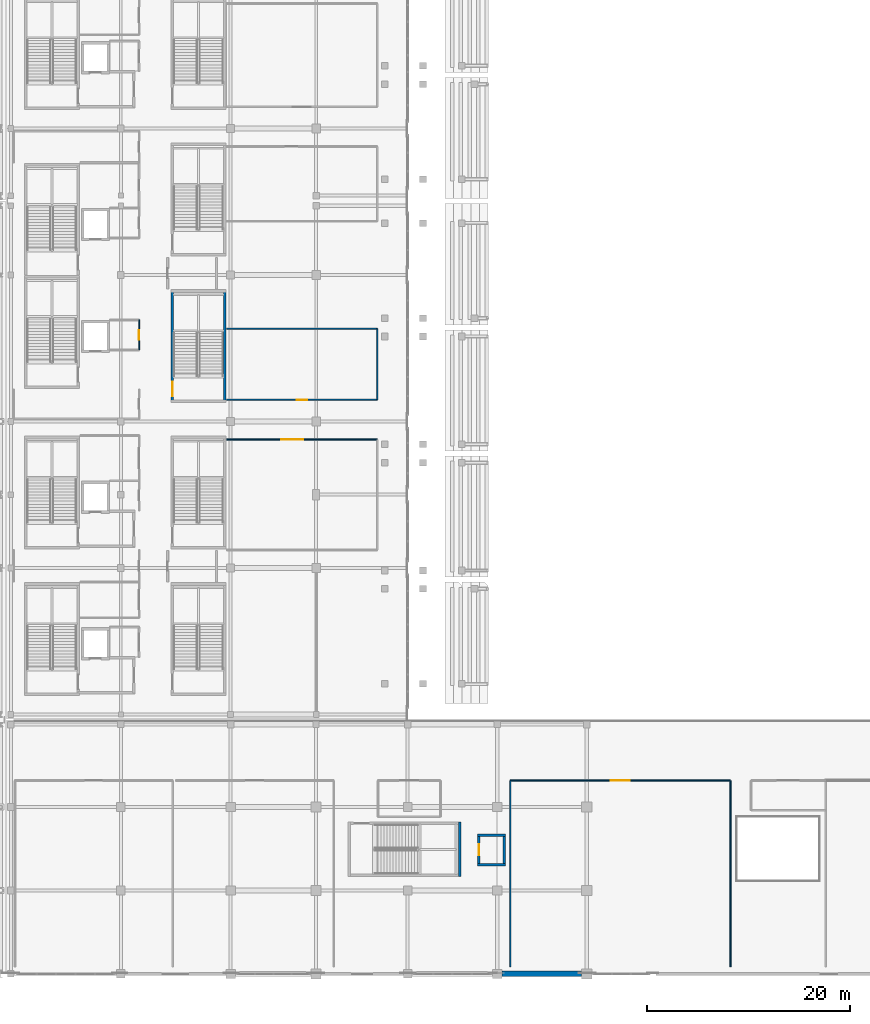
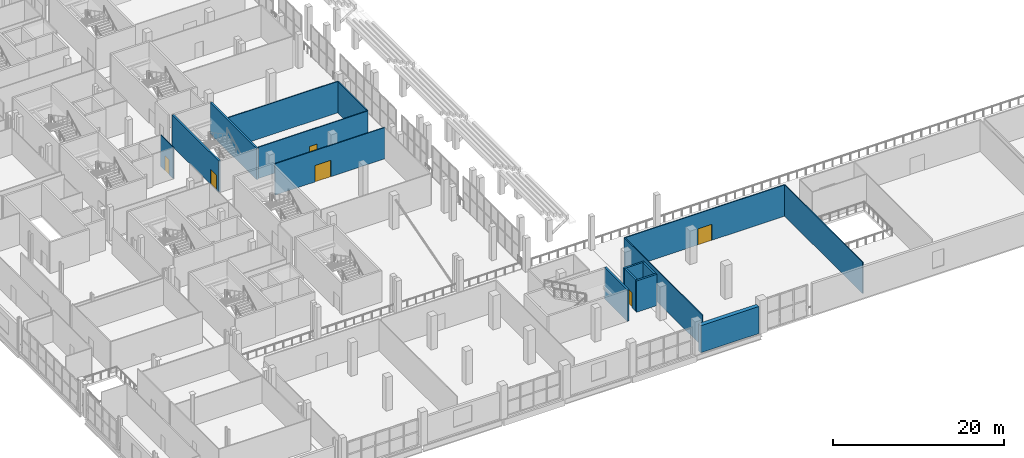
# One storey, part 90 of 142: 16 walls, 6 doors, 6 openings.
"""IFC4 building model written with IfcOpenShell, lengths in metres."""

from ifc_helpers import new_model, si_unit, direction, frame, frame_2d, origin, place, context, subcontext, project, spatial, rectangle, extrude, material, layer, layer_set, type_object, element, fill, save


model = new_model("IFC4")

# Units and contexts
model_context = context("Model", 3, precision=1e-05, world=origin(), true_north=direction((0.0, 1.0)))
body_context = subcontext(model_context, "Body", "Model", "MODEL_VIEW")
ifc_project = project(units=[si_unit("LENGTHUNIT", "METRE"), si_unit("AREAUNIT", "SQUARE_METRE"), si_unit("VOLUMEUNIT", "CUBIC_METRE"), si_unit("PLANEANGLEUNIT", "RADIAN"), si_unit("MASSUNIT", "GRAM", prefix="KILO")], contexts=[model_context])

# Site, building, storey
site_placement = place(None, origin())
site = spatial("IfcSite", under=ifc_project, at=site_placement, CompositionType="ELEMENT")
building_placement = place(site_placement, origin())
building = spatial("IfcBuilding", under=site, at=building_placement, Name="Koshinbarg Plaza Stadium", CompositionType="ELEMENT")
storey_placement = place(building_placement, frame((0.0, 0.0, 10.199951171875)))
storey = spatial("IfcBuildingStorey", under=building, at=storey_placement, Name="L02", CompositionType="ELEMENT", Elevation=10.199951171875)

# Wall
ifc_material_1 = material(Name="Concrete C40/50", Category="concrete")
ifc_layer_1 = layer(ifc_material_1, 0.25)
ifc_layer_set_1 = layer_set([ifc_layer_1], Name="Concrete C40/50")
wall_type_1 = type_object("IfcWallType", Name="WL-CORE-250", PredefinedType="SHEAR", material=ifc_layer_set_1)
wall_1_placement = place(storey_placement, frame((68.72509765625, 9.550048828125, 0.0), z_axis=(0.0, 0.0, 1.0), x_axis=(0.0, 1.0, 0.0)))
element("IfcWall", 1, at=wall_1_placement, inside=storey, type_object=wall_type_1, Name="L02 core stair shear wall C13-far IWL-L02-0299", PredefinedType="SHEAR", context=body_context, shape_type="SweptSolid", body=[
    extrude(rectangle(XDim=5.369873046875, YDim=0.25, at=frame_2d((2.68505859375, 0.0))), origin(), (0.0, 0.0, 1.0), 4.47998046875),
])

# Wall, opening, door
wall_2_placement = place(storey_placement, frame((40.47509765625, 56.27490234375, 0.0), z_axis=(0.0, 0.0, 1.0), x_axis=(0.0, 1.0, 0.0)))
wall_2 = element("IfcWall", 2, at=wall_2_placement, inside=storey, type_object=wall_type_1, Name="L02 vomitory stair shear wall VX03-left IWL-L02-0396", PredefinedType="SHEAR", context=body_context, shape_type="SweptSolid", body=[
    extrude(rectangle(XDim=10.85009765625, YDim=0.25, at=frame_2d((5.425048828125, 0.0))), origin(), (0.0, 0.0, 1.0), 4.47998046875),
])
opening_1_placement = place(wall_2_placement, frame((0.52001953125, 0.0, 0.0)))
opening_1 = element("IfcOpeningElement", 3, at=opening_1_placement, cuts=wall_2, Name="Opening D-0161", PredefinedType="OPENING", context=body_context, shape_type="SweptSolid", body=[
    extrude(rectangle(XDim=1.39990234375, YDim=2.14990234375, at=frame_2d((0.699951171875, 1.074951171875))), frame((0.0, 0.135009765625, 0.0), z_axis=(0.0, -1.0, 0.0), x_axis=(1.0, 0.0, 0.0)), (0.0, 0.0, 1.0), 0.27001953125),
])
ifc_material_2 = material(Name="Painted galvanized steel fire door", Category="steel")
door_type_1 = type_object("IfcDoorType", Name="DR-STAIR-1400", OperationType="NOTDEFINED", PredefinedType="DOOR", material=ifc_material_2)
door_1_placement = place(opening_1_placement, frame((1.39990234375, 0.0, 0.0), z_axis=(0.0, 0.0, 1.0), x_axis=(-1.0, 0.0, 0.0)))
door_1 = element("IfcDoor", 4, at=door_1_placement, inside=storey, type_object=door_type_1, Name="L02 vomitory exit stair door VX03", OperationType="SINGLE_SWING_RIGHT", OverallHeight=2.14990234375, OverallWidth=1.39990234375, PredefinedType="DOOR", context=body_context, shape_type="SweptSolid", body=[
    extrude(rectangle(XDim=1.39990234375, YDim=2.14990234375, at=frame_2d((0.699951171875, 1.074951171875))), frame((0.0, 0.02490234375, 0.0), z_axis=(0.0, -1.0, 0.0), x_axis=(1.0, 0.0, 0.0)), (0.0, 0.0, 1.0), 0.050048828125),
])
fill(opening_1, door_1)

# Walls
wall_3_placement = place(storey_placement, frame((45.594970703125, 56.27490234375, 0.0), z_axis=(0.0, 0.0, 1.0), x_axis=(0.0, 1.0, 0.0)))
element("IfcWall", 5, at=wall_3_placement, inside=storey, type_object=wall_type_1, Name="L02 vomitory stair shear wall VX03-right IWL-L02-0397", PredefinedType="SHEAR", context=body_context, shape_type="SweptSolid", body=[
    extrude(rectangle(XDim=10.85009765625, YDim=0.25, at=frame_2d((5.425048828125, 0.0))), origin(), (0.0, 0.0, 1.0), 4.47998046875),
])
for number, where, z_axis, x_axis, name in (
    (6, (70.47509765625, 10.75, 0.0), (0.0, 0.0, 1.0), (1.0, 0.0, 0.0), "L02 lift shaft shear wall LP09-S IWL-L02-0998"),
    (7, (73.22509765625, 13.64990234375, 0.0), (0.0, 0.0, 1.0), (-1.0, 0.0, 0.0), "L02 lift shaft shear wall LP09-N IWL-L02-0999"),
):
    element("IfcWall", number, at=place(storey_placement, frame(where, z_axis=z_axis, x_axis=x_axis)), inside=storey, type_object=wall_type_1, Name=name, PredefinedType="SHEAR", context=body_context, shape_type="SweptSolid", body=[
        extrude(rectangle(XDim=2.75, YDim=0.25, at=frame_2d((1.375, 0.0))), origin(), (0.0, 0.0, 1.0), 4.47998046875),
    ])

# Wall, opening, door
wall_4_placement = place(storey_placement, frame((70.60009765625, 13.64990234375, 0.0), z_axis=(0.0, 0.0, 1.0), x_axis=(0.0, -1.0, 0.0)))
wall_4 = element("IfcWall", 8, at=wall_4_placement, inside=storey, type_object=wall_type_1, Name="L02 lift shaft shear wall LP09-W IWL-L02-1000", PredefinedType="SHEAR", context=body_context, shape_type="SweptSolid", body=[
    extrude(rectangle(XDim=2.89990234375, YDim=0.25, at=frame_2d((1.449951171875, 0.0))), origin(), (0.0, 0.0, 1.0), 4.47998046875),
])
opening_2_placement = place(wall_4_placement, frame((0.925048828125, 0.0, 0.0)))
opening_2 = element("IfcOpeningElement", 9, at=opening_2_placement, cuts=wall_4, Name="Opening D-0319", PredefinedType="OPENING", context=body_context, shape_type="SweptSolid", body=[
    extrude(rectangle(XDim=1.050048828125, YDim=2.14990234375, at=frame_2d((0.52490234375, 1.074951171875))), frame((0.0, 0.135009765625, 0.0), z_axis=(0.0, -1.0, 0.0), x_axis=(1.0, 0.0, 0.0)), (0.0, 0.0, 1.0), 0.27001953125),
])
ifc_material_3 = material(Name="Brushed stainless steel sliding lift landing door", Category="steel")
door_type_2 = type_object("IfcDoorType", Name="DR-LIFT-1050", OperationType="NOTDEFINED", PredefinedType="DOOR", material=ifc_material_3)
door_2_placement = place(opening_2_placement, origin())
door_2 = element("IfcDoor", 10, at=door_2_placement, inside=storey, type_object=door_type_2, Name="L02 lift landing door LP09", OperationType="SLIDING_TO_RIGHT", OverallHeight=2.14990234375, OverallWidth=1.050048828125, PredefinedType="DOOR", context=body_context, shape_type="SweptSolid", body=[
    extrude(rectangle(XDim=1.050048828125, YDim=2.14990234375, at=frame_2d((0.52490234375, 1.074951171875))), frame((0.0, 0.02490234375, 0.0), z_axis=(0.0, -1.0, 0.0), x_axis=(1.0, 0.0, 0.0)), (0.0, 0.0, 1.0), 0.050048828125),
])
fill(opening_2, door_2)

# Wall
wall_5_placement = place(storey_placement, frame((73.10009765625, 10.75, 0.0), z_axis=(0.0, 0.0, 1.0), x_axis=(0.0, 1.0, 0.0)))
element("IfcWall", 11, at=wall_5_placement, inside=storey, type_object=wall_type_1, Name="L02 lift shaft shear wall LP09-E IWL-L02-1001", PredefinedType="SHEAR", context=body_context, shape_type="SweptSolid", body=[
    extrude(rectangle(XDim=2.89990234375, YDim=0.25, at=frame_2d((1.449951171875, 0.0))), origin(), (0.0, 0.0, 1.0), 4.47998046875),
])

# Wall, opening, door
ifc_material_4 = material(Name="Gypsum board metal-stud acoustic partition")
ifc_layer_2 = layer(ifc_material_4, 0.1201171875)
ifc_layer_set_2 = layer_set([ifc_layer_2], Name="Gypsum board metal-stud acoustic partition")
wall_type_2 = type_object("IfcWallType", Name="WL-PART-120", PredefinedType="PARTITIONING", material=ifc_layer_set_2)
wall_6_placement = place(storey_placement, frame((60.60009765625, 52.52001953125, 0.0), z_axis=(0.0, 0.0, 1.0), x_axis=(-1.0, 0.0, 0.0)))
wall_6 = element("IfcWall", 12, at=wall_6_placement, inside=storey, type_object=wall_type_2, Name="L02 interior partition L02-65-north IWL-L02-1639", PredefinedType="PARTITIONING", context=body_context, shape_type="SweptSolid", body=[
    extrude(rectangle(XDim=14.800048828125, YDim=0.1201171875, at=frame_2d((7.39990234375, 0.0))), origin(), (0.0, 0.0, 1.0), 4.47998046875),
])
opening_3_placement = place(wall_6_placement, frame((7.275146484375, 0.0, 0.0)))
opening_3 = element("IfcOpeningElement", 13, at=opening_3_placement, cuts=wall_6, Name="Opening D-0552", PredefinedType="OPENING", context=body_context, shape_type="SweptSolid", body=[
    extrude(rectangle(XDim=2.159912109375, YDim=2.35009765625, at=frame_2d((1.080078125, 1.175048828125))), frame((0.0, 0.070068359375, 0.0), z_axis=(0.0, -1.0, 0.0), x_axis=(1.0, 0.0, 0.0)), (0.0, 0.0, 1.0), 0.14013671875),
])
ifc_material_5 = material(Name="Galvanized painted steel double leaf door", Category="steel")
door_type_3 = type_object("IfcDoorType", Name="DR-INT-2160x2350", OperationType="NOTDEFINED", PredefinedType="DOOR", material=ifc_material_5)
door_3_placement = place(opening_3_placement, origin())
door_3 = element("IfcDoor", 14, at=door_3_placement, inside=storey, type_object=door_type_3, Name="L02 West Club Concourse door D-0552", OperationType="DOUBLE_DOOR_SINGLE_SWING", OverallHeight=2.35009765625, OverallWidth=2.159912109375, PredefinedType="DOOR", context=body_context, shape_type="SweptSolid", body=[
    extrude(rectangle(XDim=2.159912109375, YDim=2.35009765625, at=frame_2d((1.080078125, 1.175048828125))), frame((0.0, 0.02490234375, 0.0), z_axis=(0.0, -1.0, 0.0), x_axis=(1.0, 0.0, 0.0)), (0.0, 0.0, 1.0), 0.050048828125),
])
fill(opening_3, door_3)

wall_7_placement = place(storey_placement, frame((37.199951171875, 61.330078125, 0.0), z_axis=(0.0, 0.0, 1.0), x_axis=(0.0, 1.0, 0.0)))
wall_7 = element("IfcWall", 15, at=wall_7_placement, inside=storey, type_object=wall_type_2, Name="L02 interior partition L02-67-east IWL-L02-1644", PredefinedType="PARTITIONING", context=body_context, shape_type="SweptSolid", body=[
    extrude(rectangle(XDim=2.949951171875, YDim=0.1201171875, at=frame_2d((1.47509765625, 0.0))), origin(), (0.0, 0.0, 1.0), 4.47998046875),
])
opening_4_placement = place(wall_7_placement, frame((0.9951171875, 0.0, 0.0)))
opening_4 = element("IfcOpeningElement", 16, at=opening_4_placement, cuts=wall_7, Name="Opening D-0554", PredefinedType="OPENING", context=body_context, shape_type="SweptSolid", body=[
    extrude(rectangle(XDim=0.9599609375, YDim=2.10009765625, at=frame_2d((0.47998046875, 1.050048828125))), frame((0.0, 0.070068359375, 0.0), z_axis=(0.0, -1.0, 0.0), x_axis=(1.0, 0.0, 0.0)), (0.0, 0.0, 1.0), 0.14013671875),
])
ifc_material_6 = material(Name="Solid-core oak veneer acoustic door")
door_type_4 = type_object("IfcDoorType", Name="DR-INT-0960x2100", OperationType="NOTDEFINED", PredefinedType="DOOR", material=ifc_material_6)
door_4_placement = place(opening_4_placement, origin())
door_4 = element("IfcDoor", 17, at=door_4_placement, inside=storey, type_object=door_type_4, Name="L02 Hospitality Catering Kitchen door D-0554", OperationType="SINGLE_SWING_RIGHT", OverallHeight=2.10009765625, OverallWidth=0.9599609375, PredefinedType="DOOR", context=body_context, shape_type="SweptSolid", body=[
    extrude(rectangle(XDim=0.9599609375, YDim=2.10009765625, at=frame_2d((0.47998046875, 1.050048828125))), frame((0.0, 0.02490234375, 0.0), z_axis=(0.0, -1.0, 0.0), x_axis=(1.0, 0.0, 0.0)), (0.0, 0.0, 1.0), 0.050048828125),
])
fill(opening_4, door_4)

wall_8_placement = place(storey_placement, frame((45.800048828125, 56.429931640625, 0.0), z_axis=(0.0, 0.0, 1.0), x_axis=(1.0, 0.0, 0.0)))
wall_8 = element("IfcWall", 18, at=wall_8_placement, inside=storey, type_object=wall_type_2, Name="L02 interior partition L02-71-south IWL-L02-1654", PredefinedType="PARTITIONING", context=body_context, shape_type="SweptSolid", body=[
    extrude(rectangle(XDim=14.800048828125, YDim=0.1201171875, at=frame_2d((7.39990234375, 0.0))), origin(), (0.0, 0.0, 1.0), 4.47998046875),
])
opening_5_placement = place(wall_8_placement, frame((6.875, 0.0, 0.0)))
opening_5 = element("IfcOpeningElement", 19, at=opening_5_placement, cuts=wall_8, Name="Opening D-0558", PredefinedType="OPENING", context=body_context, shape_type="SweptSolid", body=[
    extrude(rectangle(XDim=1.050048828125, YDim=2.14990234375, at=frame_2d((0.52490234375, 1.074951171875))), frame((0.0, 0.070068359375, 0.0), z_axis=(0.0, -1.0, 0.0), x_axis=(1.0, 0.0, 0.0)), (0.0, 0.0, 1.0), 0.14013671875),
])
ifc_material_7 = material(Name="Solid-core oak suite entrance door")
door_type_5 = type_object("IfcDoorType", Name="DR-INT-1050x2150", OperationType="NOTDEFINED", PredefinedType="DOOR", material=ifc_material_7)
door_5_placement = place(opening_5_placement, origin())
door_5 = element("IfcDoor", 20, at=door_5_placement, inside=storey, type_object=door_type_5, Name="L02 Hospitality Catering Kitchen door D-0558", OperationType="SINGLE_SWING_RIGHT", OverallHeight=2.14990234375, OverallWidth=1.050048828125, PredefinedType="DOOR", context=body_context, shape_type="SweptSolid", body=[
    extrude(rectangle(XDim=1.050048828125, YDim=2.14990234375, at=frame_2d((0.52490234375, 1.074951171875))), frame((0.0, 0.02490234375, 0.0), z_axis=(0.0, -1.0, 0.0), x_axis=(1.0, 0.0, 0.0)), (0.0, 0.0, 1.0), 0.050048828125),
])
fill(opening_5, door_5)

# Walls
wall_9_placement = place(storey_placement, frame((60.60009765625, 56.429931640625, 0.0), z_axis=(0.0, 0.0, 1.0), x_axis=(0.0, 1.0, 0.0)))
element("IfcWall", 21, at=wall_9_placement, inside=storey, type_object=wall_type_2, Name="L02 interior partition L02-71-east IWL-L02-1655", PredefinedType="PARTITIONING", context=body_context, shape_type="SweptSolid", body=[
    extrude(rectangle(XDim=6.979248046875, YDim=0.1201171875, at=frame_2d((3.48974609375, 0.0))), origin(), (0.0, 0.0, 1.0), 4.47998046875),
])
wall_10_placement = place(storey_placement, frame((60.60009765625, 63.4091796875, 0.0), z_axis=(0.0, 0.0, 1.0), x_axis=(-1.0, 0.0, 0.0)))
element("IfcWall", 22, at=wall_10_placement, inside=storey, type_object=wall_type_2, Name="L02 interior partition L02-71-north IWL-L02-1656", PredefinedType="PARTITIONING", context=body_context, shape_type="SweptSolid", body=[
    extrude(rectangle(XDim=14.800048828125, YDim=0.1201171875, at=frame_2d((7.39990234375, 0.0))), origin(), (0.0, 0.0, 1.0), 4.47998046875),
])
wall_11_placement = place(storey_placement, frame((95.320068359375, 0.699951171875, 0.0), z_axis=(0.0, 0.0, 1.0), x_axis=(0.0, 1.0, 0.0)))
element("IfcWall", 23, at=wall_11_placement, inside=storey, type_object=wall_type_2, Name="L02 interior partition L02-130-east IWL-L02-1818", PredefinedType="PARTITIONING", context=body_context, shape_type="SweptSolid", body=[
    extrude(rectangle(XDim=18.300048828125, YDim=0.1201171875, at=frame_2d((9.14990234375, 0.0))), origin(), (0.0, 0.0, 1.0), 4.47998046875),
])

# Wall, opening, door
wall_12_placement = place(storey_placement, frame((95.320068359375, 19.0, 0.0), z_axis=(0.0, 0.0, 1.0), x_axis=(-1.0, 0.0, 0.0)))
wall_12 = element("IfcWall", 24, at=wall_12_placement, inside=storey, type_object=wall_type_2, Name="L02 interior partition L02-130-north IWL-L02-1819", PredefinedType="PARTITIONING", context=body_context, shape_type="SweptSolid", body=[
    extrude(rectangle(XDim=21.64013671875, YDim=0.1201171875, at=frame_2d((10.820068359375, 0.0))), origin(), (0.0, 0.0, 1.0), 4.47998046875),
])
opening_6_placement = place(wall_12_placement, frame((9.889892578125, 0.0, 0.0)))
opening_6 = element("IfcOpeningElement", 25, at=opening_6_placement, cuts=wall_12, Name="Opening D-0617", PredefinedType="OPENING", context=body_context, shape_type="SweptSolid", body=[
    extrude(rectangle(XDim=1.860107421875, YDim=2.300048828125, at=frame_2d((0.93017578125, 1.14990234375))), frame((0.0, 0.070068359375, 0.0), z_axis=(0.0, -1.0, 0.0), x_axis=(1.0, 0.0, 0.0)), (0.0, 0.0, 1.0), 0.14013671875),
])
ifc_material_8 = material(Name="Acoustic solid-core walnut veneer fire door")
door_type_6 = type_object("IfcDoorType", Name="DR-INT-1860x2300", OperationType="NOTDEFINED", PredefinedType="DOOR", material=ifc_material_8)
door_6_placement = place(opening_6_placement, origin())
door_6 = element("IfcDoor", 26, at=door_6_placement, inside=storey, type_object=door_type_6, Name="L02 Central Banquet Kitchen door D-0617", OperationType="DOUBLE_DOOR_SINGLE_SWING", OverallHeight=2.300048828125, OverallWidth=1.860107421875, PredefinedType="DOOR", context=body_context, shape_type="SweptSolid", body=[
    extrude(rectangle(XDim=1.860107421875, YDim=2.300048828125, at=frame_2d((0.93017578125, 1.14990234375))), frame((0.0, 0.02490234375, 0.0), z_axis=(0.0, -1.0, 0.0), x_axis=(1.0, 0.0, 0.0)), (0.0, 0.0, 1.0), 0.050048828125),
])
fill(opening_6, door_6)

# Walls
wall_13_placement = place(storey_placement, frame((73.679931640625, 19.0, 0.0), z_axis=(0.0, 0.0, 1.0), x_axis=(0.0, -1.0, 0.0)))
element("IfcWall", 27, at=wall_13_placement, inside=storey, type_object=wall_type_2, Name="L02 interior partition L02-130-west IWL-L02-1820", PredefinedType="PARTITIONING", context=body_context, shape_type="SweptSolid", body=[
    extrude(rectangle(XDim=18.300048828125, YDim=0.1201171875, at=frame_2d((9.14990234375, 0.0))), origin(), (0.0, 0.0, 1.0), 4.47998046875),
])
ifc_layer_3 = layer(ifc_material_1, 0.550048828125)
ifc_layer_set_3 = layer_set([ifc_layer_3], Name="Concrete C40/50")
wall_type_3 = type_object("IfcWallType", Name="WL-PYLON-550", PredefinedType="SHEAR", material=ifc_layer_set_3)
wall_14_placement = place(storey_placement, frame((80.705078125, 0.0, 0.0), z_axis=(0.0, 0.0, 1.0), x_axis=(-1.0, 0.0, 0.0)))
element("IfcWall", 28, at=wall_14_placement, inside=storey, type_object=wall_type_3, Name="L02 exterior shear pylon wall EWL-L02-0139", PredefinedType="SHEAR", context=body_context, shape_type="SweptSolid", body=[
    extrude(rectangle(XDim=7.860107421875, YDim=0.550048828125, at=frame_2d((3.93017578125, 0.0))), origin(), (0.0, 0.0, 1.0), 3.860107421875),
])

save(model, "model.ifc")
